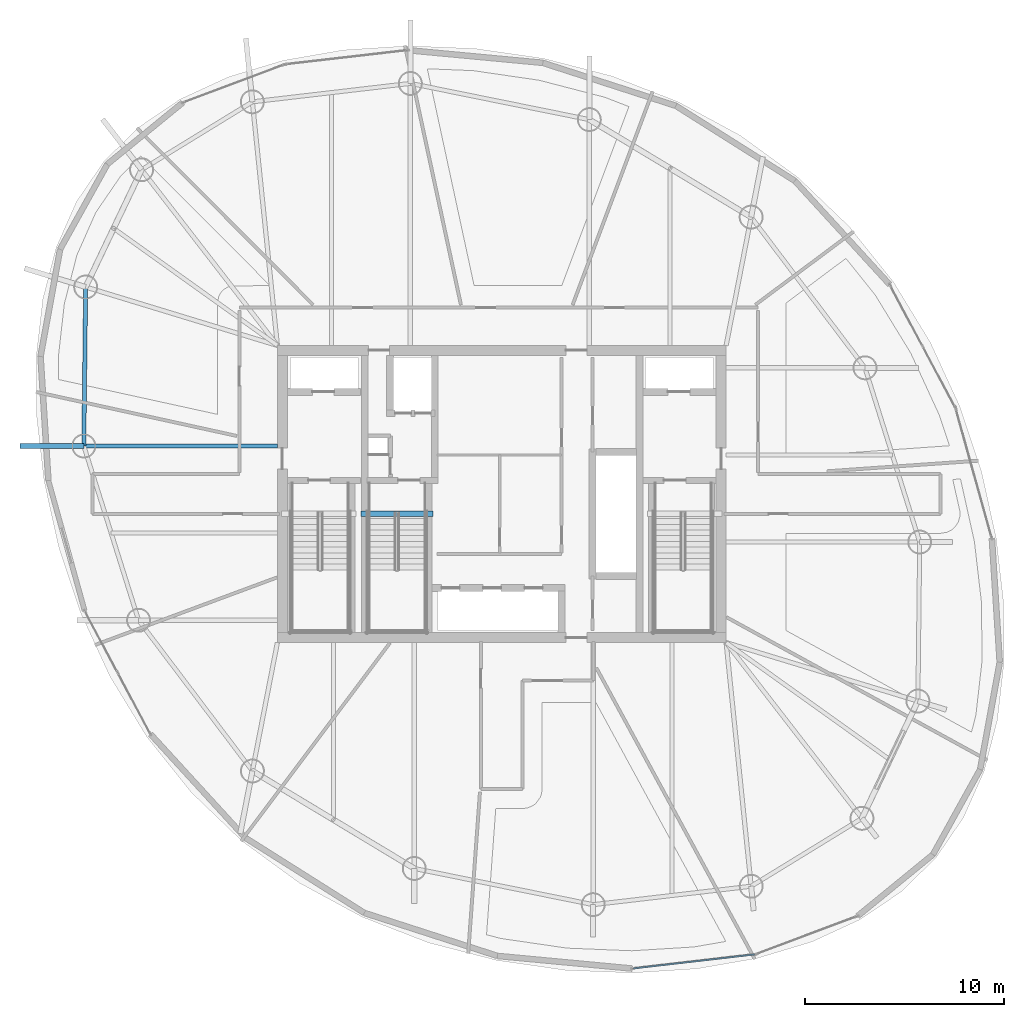
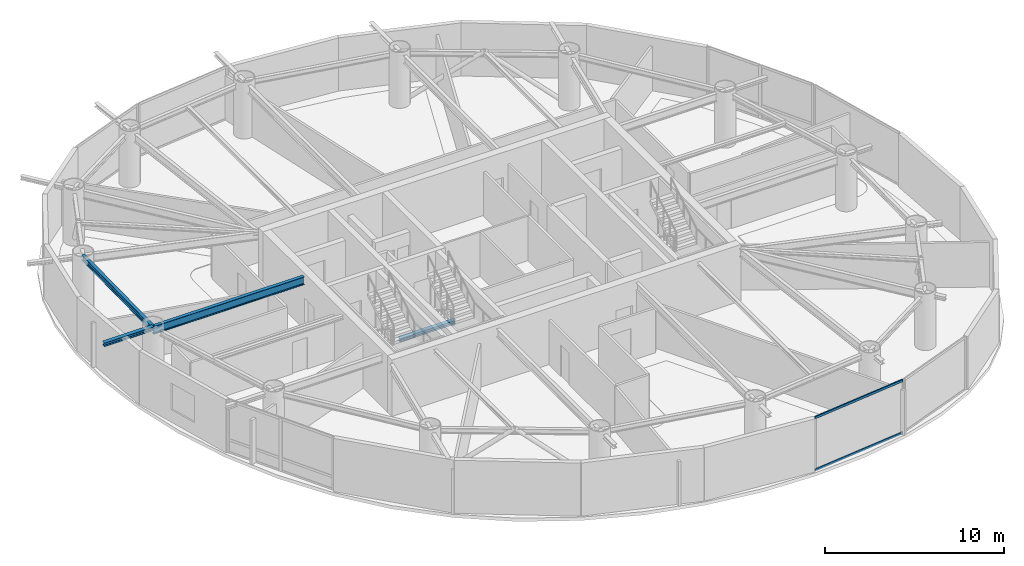
# One storey, part 6 of 22: 4 beams, 2 members, 1 element without a shape of its own.
"""IFC4 building model written with IfcOpenShell, lengths in metres."""

from ifc_helpers import new_model, si_unit, direction, frame, origin, origin_2d, place, context, subcontext, project, spatial, hollow_rectangle, i_section, extrude, material, layer, layer_set, material_profile, profile_set, type_object, element, aggregate, save


model = new_model("IFC4")

# Units and contexts
model_context = context("Model", 3, precision=1e-05, world=origin(), true_north=direction((0.0, 1.0)))
body_context = subcontext(model_context, "Body", "Model", "MODEL_VIEW")
ifc_project = project(units=[si_unit("LENGTHUNIT", "METRE"), si_unit("AREAUNIT", "SQUARE_METRE"), si_unit("VOLUMEUNIT", "CUBIC_METRE"), si_unit("PLANEANGLEUNIT", "RADIAN"), si_unit("MASSUNIT", "GRAM", prefix="KILO")], contexts=[model_context])

# Site, building, storey
site_placement = place(None, origin())
site = spatial("IfcSite", under=ifc_project, at=site_placement, CompositionType="ELEMENT")
building_placement = place(site_placement, origin())
building = spatial("IfcBuilding", under=site, at=building_placement, Name="Bramvorn Convention Spire", CompositionType="ELEMENT")
storey_placement = place(building_placement, frame((0.0, 0.0, 190.449951171875)))
storey = spatial("IfcBuildingStorey", under=building, at=storey_placement, Name="L48", CompositionType="ELEMENT", Elevation=190.449951171875)

# Beams
ifc_material_1 = material(Name="Steel CSA G40.21 Grade 350 (350W)", Category="steel")
ifc_material_profile_1 = material_profile(ifc_material_1, i_section(OverallWidth=0.25390625, OverallDepth=0.2529296875, WebThickness=0.008544921875, FlangeThickness=0.01416015625, FilletRadius=0.011962890625, at=origin_2d()))
ifc_profile_set_1 = profile_set([ifc_material_profile_1], Name="Steel CSA G40.21 Grade 350 (350W) - W250X73")
beam_type_1 = type_object("IfcBeamType", Name="BM-W250X73", PredefinedType="BEAM", material=ifc_profile_set_1)
beam_1_placement = place(storey_placement, frame((17.04541015625, 28.406494140625, 3.49365234375), z_axis=(-1.0, 0.0, 0.0), x_axis=(0.0, -1.0, 0.0)))
element("IfcBeam", 1, at=beam_1_placement, inside=storey, type_object=beam_type_1, Name="L48 slab-edge cantilever tip beam MC11", PredefinedType="BEAM", context=body_context, shape_type="SweptSolid", body=[
    extrude(i_section(OverallWidth=0.25390625, OverallDepth=0.2529296875, WebThickness=0.008544921875, FlangeThickness=0.01416015625, FilletRadius=0.011962890625, at=origin_2d()), origin(), (0.0, 0.0, 1.0), 3.2001953125),
])
beam_2_placement = place(storey_placement, frame((30.949951171875, 25.010009765625, -0.12646484375), z_axis=(1.0, 0.0, 0.0), x_axis=(0.0, 1.0, 0.0)))
element("IfcBeam", 2, at=beam_2_placement, inside=storey, type_object=beam_type_1, Name="L48 ST3 stair arrival header beam", PredefinedType="BEAM", context=body_context, shape_type="SweptSolid", body=[
    extrude(i_section(OverallWidth=0.25390625, OverallDepth=0.2529296875, WebThickness=0.008544921875, FlangeThickness=0.01416015625, FilletRadius=0.011962890625, at=origin_2d()), origin(), (0.0, 0.0, 1.0), 3.610107421875),
])
ifc_material_profile_2 = material_profile(ifc_material_1, i_section(OverallWidth=0.205078125, OverallDepth=0.35400390625, WebThickness=0.009521484375, FlangeThickness=0.016845703125, FilletRadius=0.014892578125, at=origin_2d()))
ifc_profile_set_2 = profile_set([ifc_material_profile_2], Name="Steel CSA G40.21 Grade 350 (350W) - W360X79")
beam_type_2 = type_object("IfcBeamType", Name="BM-W360X79", PredefinedType="JOIST", material=ifc_profile_set_2)
beam_3_placement = place(storey_placement, frame((17.136962890625, 36.380615234375, 3.443115234375), z_axis=(-0.011480475367, -0.999934097171, 0.0), x_axis=(0.999934097171, -0.011480475367, 0.0)))
element("IfcBeam", 3, at=beam_3_placement, inside=storey, type_object=beam_type_2, Name="L48 mega-column ring beam 10", PredefinedType="JOIST", context=body_context, shape_type="SweptSolid", body=[
    extrude(i_section(OverallWidth=0.205078125, OverallDepth=0.35400390625, WebThickness=0.009521484375, FlangeThickness=0.016845703125, FilletRadius=0.014892578125, at=origin_2d()), origin(), (0.0, 0.0, 1.0), 7.974609375),
])
ifc_material_profile_3 = material_profile(ifc_material_1, i_section(OverallWidth=0.2119140625, OverallDepth=0.5439453125, WebThickness=0.01318359375, FlangeThickness=0.021240234375, FilletRadius=0.01904296875, at=origin_2d()))
ifc_profile_set_3 = profile_set([ifc_material_profile_3], Name="Steel CSA G40.21 Grade 350 (350W) - W530X123")
beam_type_3 = type_object("IfcBeamType", Name="BM-W530X123", PredefinedType="BEAM", material=ifc_profile_set_3)
beam_4_placement = place(storey_placement, frame((26.75, 28.406494140625, 3.34814453125), z_axis=(-1.0, 0.0, 0.0), x_axis=(0.0, -1.0, 0.0)))
element("IfcBeam", 4, at=beam_4_placement, inside=storey, type_object=beam_type_3, Name="L48 radial floor girder MC11", PredefinedType="BEAM", context=body_context, shape_type="SweptSolid", body=[
    extrude(i_section(OverallWidth=0.2119140625, OverallDepth=0.5439453125, WebThickness=0.01318359375, FlangeThickness=0.021240234375, FilletRadius=0.01904296875, at=origin_2d()), origin(), (0.0, 0.0, 1.0), 9.70458984375),
])

# Curtain wall, members
ifc_material_2 = material(Name="Anodised Bronze Unitised Curtain Wall", Category="aluminium")
ifc_layer = layer(ifc_material_2, 0.179931640625)
ifc_layer_set = layer_set([ifc_layer], Name="Anodised Bronze Unitised Curtain Wall - CW-OFF-FRIT")
curtain_wall_type = type_object("IfcCurtainWallType", Name="CW-OFF-FRIT", PredefinedType="USERDEFINED", material=ifc_layer_set)
curtain_wall_placement = place(storey_placement, origin())
curtain_wall = element("IfcCurtainWall", 5, at=curtain_wall_placement, inside=storey, type_object=curtain_wall_type, Name="L48 fritted glass curtain wall 22", ObjectType="UNITISED CURTAIN WALL", PredefinedType="USERDEFINED")
ifc_material_3 = material(Name="Anodised Bronze Aluminium 6063-T6", Category="aluminium")
ifc_material_profile_4 = material_profile(ifc_material_3, hollow_rectangle(XDim=0.080078125, YDim=0.159912109375, WallThickness=0.00390625, InnerFilletRadius=0.0009765625, OuterFilletRadius=0.00390625, at=origin_2d()))
ifc_profile_set_4 = profile_set([ifc_material_profile_4], Name="Anodised Bronze Aluminium 6063-T6 - CWT80X160")
member_type = type_object("IfcMemberType", Name="CW-TRN-150", PredefinedType="USERDEFINED", material=ifc_profile_set_4)
member_1_placement = place(storey_placement, frame((50.6650390625, 2.9150390625, 0.030029296875), z_axis=(-0.993417863009, -0.114546712984, 0.0), x_axis=(0.114546712984, -0.993417863009, 0.0)))
member_1 = element("IfcMember", 6, at=member_1_placement, type_object=member_type, Name="CW3 transom 1.1", ObjectType="TRANSOM", PredefinedType="USERDEFINED", context=body_context, shape_type="SweptSolid", body=[
    extrude(hollow_rectangle(XDim=0.080078125, YDim=0.159912109375, WallThickness=0.00390625, InnerFilletRadius=0.0009765625, OuterFilletRadius=0.00390625, at=origin_2d()), origin(), (0.0, 0.0, 1.0), 6.1064453125),
])
member_2_placement = place(storey_placement, frame((50.6650390625, 2.9150390625, 3.590087890625), z_axis=(-0.993417863009, -0.114546712984, 0.0), x_axis=(0.114546712984, -0.993417863009, 0.0)))
member_2 = element("IfcMember", 7, at=member_2_placement, type_object=member_type, Name="CW3 transom 1.2", ObjectType="TRANSOM", PredefinedType="USERDEFINED", context=body_context, shape_type="SweptSolid", body=[
    extrude(hollow_rectangle(XDim=0.080078125, YDim=0.159912109375, WallThickness=0.00390625, InnerFilletRadius=0.0009765625, OuterFilletRadius=0.00390625, at=origin_2d()), origin(), (0.0, 0.0, 1.0), 6.1064453125),
])
aggregate(curtain_wall, [member_1, member_2])

save(model, "model.ifc")
